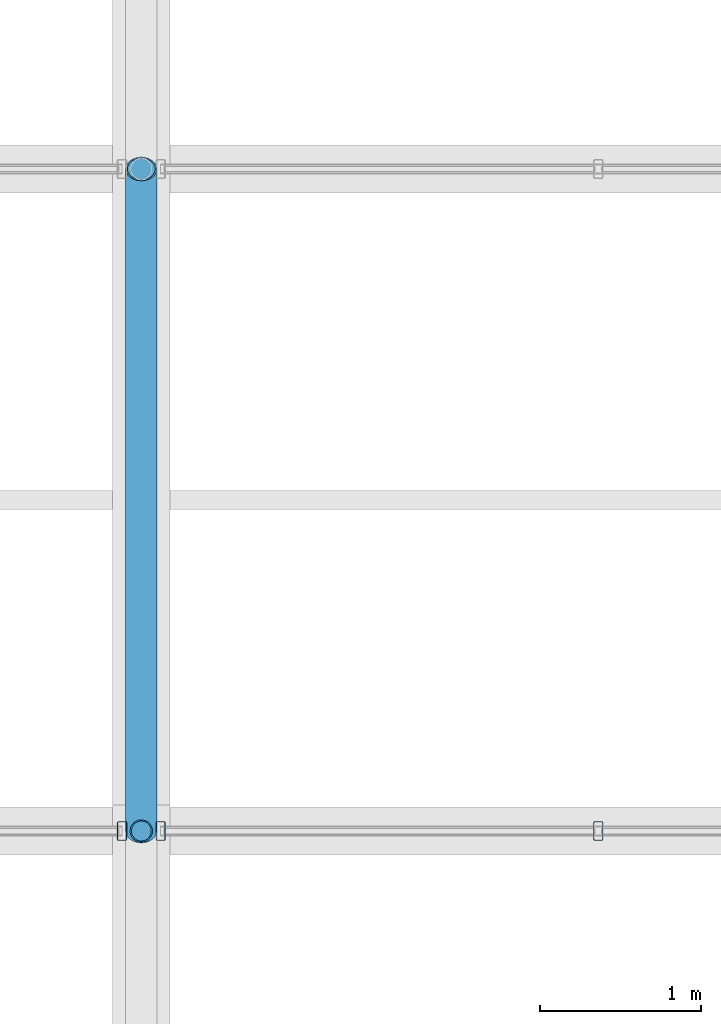
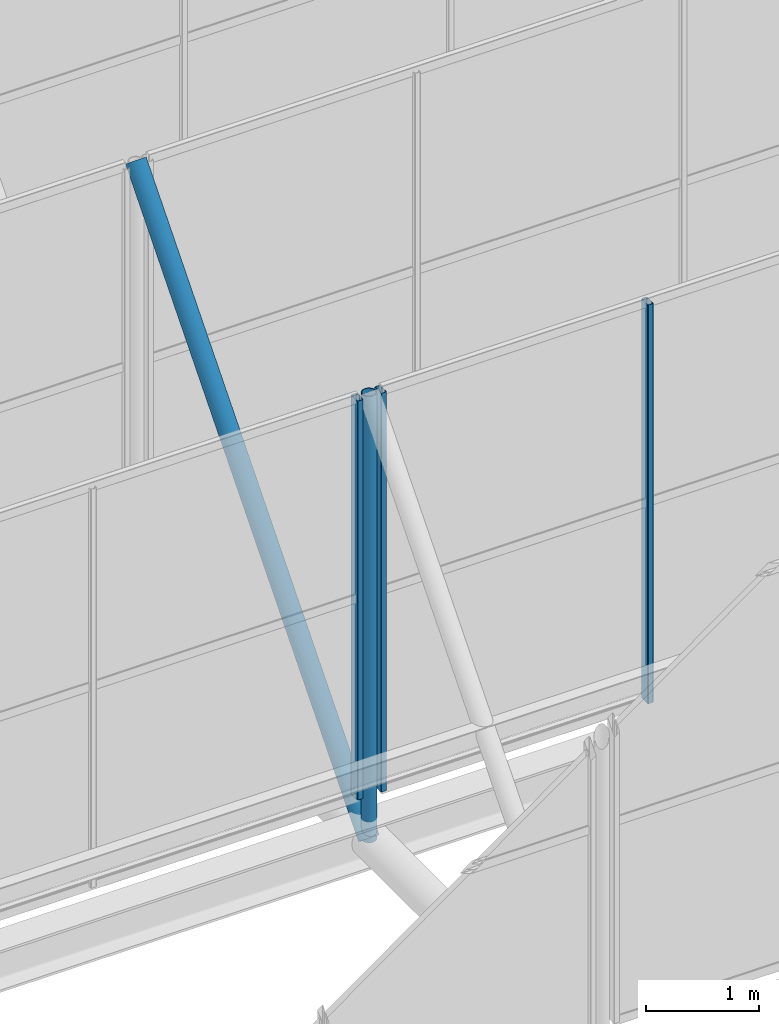
# One storey, part 11 of 77: 5 members, 2 elements without a shape of their own.
"""IFC4 building model written with IfcOpenShell, lengths in metres."""

from ifc_helpers import new_model, si_unit, derived_unit, direction, frame, origin, origin_2d, place, context, subcontext, project, spatial, hollow_rectangle, hollow_circle, extrude, material, material_profile, profile_set, type_object, element, aggregate, save


model = new_model("IFC4")

# Units and contexts
model_context = context("Model", 3, precision=1e-05, world=origin(), true_north=direction((0.0, 1.0)))
body_context = subcontext(model_context, "Body", "Model", "MODEL_VIEW")
ifc_project = project(units=[si_unit("LENGTHUNIT", "METRE"), si_unit("AREAUNIT", "SQUARE_METRE"), si_unit("VOLUMEUNIT", "CUBIC_METRE"), si_unit("PLANEANGLEUNIT", "RADIAN"), si_unit("MASSUNIT", "GRAM", prefix="KILO"), derived_unit("THERMALTRANSMITTANCEUNIT", [(si_unit("MASSUNIT", "GRAM", prefix="KILO"), 1), (si_unit("TIMEUNIT", "SECOND"), -3), (si_unit("THERMODYNAMICTEMPERATUREUNIT", "KELVIN"), -1)])], contexts=[model_context])

# Site, building, storey
site_placement = place(None, origin())
site = spatial("IfcSite", under=ifc_project, at=site_placement, CompositionType="ELEMENT")
building_placement = place(site_placement, origin())
building = spatial("IfcBuilding", under=site, at=building_placement, Name="Kharveza Railside Sports Centre", CompositionType="ELEMENT")
storey_placement = place(building_placement, frame((0.0, 0.0, 17.10009765625)))
storey = spatial("IfcBuildingStorey", under=building, at=storey_placement, Name="L04", CompositionType="ELEMENT", Elevation=17.10009765625)

# Curtain wall, member
ifc_material_1 = material(Name="Low-E solar-control laminated glass", Category="glass")
curtain_wall_type = type_object("IfcCurtainWallType", Name="CW-NL01", PredefinedType="NOTDEFINED", material=ifc_material_1)
curtain_wall_1_placement = place(storey_placement, origin())
curtain_wall_1 = element("IfcCurtainWall", 1, at=curtain_wall_1_placement, inside=storey, type_object=curtain_wall_type, Name="CW-V1NL-2-2", PredefinedType="NOTDEFINED")
ifc_material_2 = material(Name="Anodised aluminium 6063-T6", Category="aluminium")
ifc_material_profile_1 = material_profile(ifc_material_2, hollow_rectangle(XDim=0.06005859375, YDim=0.1201171875, WallThickness=0.0048828125, InnerFilletRadius=0.0048828125, OuterFilletRadius=0.010009765625, at=origin_2d()), Name="RHS 60x120x5.0")
ifc_profile_set_1 = profile_set([ifc_material_profile_1], Name="Anodised aluminium 6063-T6")
member_type_1 = type_object("IfcMemberType", Name="CW-ML05", PredefinedType="MULLION", material=ifc_profile_set_1)
member_1_placement = place(storey_placement, frame((50.280029296875, 44.228515625, -0.550048828125), z_axis=(0.0, 0.0, 1.0), x_axis=(1.0, 0.0, 0.0)))
member_1 = element("IfcMember", 2, at=member_1_placement, type_object=member_type_1, Name="CW-V1NL-2-2-ML4", PredefinedType="MULLION", context=body_context, shape_type="SweptSolid", body=[
    extrude(hollow_rectangle(XDim=0.06005859375, YDim=0.1201171875, WallThickness=0.0048828125, InnerFilletRadius=0.0048828125, OuterFilletRadius=0.010009765625, at=origin_2d()), origin(), (0.0, 0.0, 1.0), 4.300048828125),
])
aggregate(curtain_wall_1, [member_1])

# Curtain wall, members
curtain_wall_2_placement = place(storey_placement, origin())
curtain_wall_2 = element("IfcCurtainWall", 3, at=curtain_wall_2_placement, inside=storey, type_object=curtain_wall_type, Name="CW-V1NL-2-3", PredefinedType="NOTDEFINED")
member_2_placement = place(storey_placement, frame((50.52001953125, 44.228515625, -0.550048828125), z_axis=(0.0, 0.0, 1.0), x_axis=(1.0, 0.0, 0.0)))
member_2 = element("IfcMember", 4, at=member_2_placement, type_object=member_type_1, Name="CW-V1NL-2-3-ML1", PredefinedType="MULLION", context=body_context, shape_type="SweptSolid", body=[
    extrude(hollow_rectangle(XDim=0.06005859375, YDim=0.1201171875, WallThickness=0.0048828125, InnerFilletRadius=0.0048828125, OuterFilletRadius=0.010009765625, at=origin_2d()), origin(), (0.0, 0.0, 1.0), 4.300048828125),
])
member_3_placement = place(storey_placement, frame((53.239990234375, 44.228515625, -0.550048828125), z_axis=(0.0, 0.0, 1.0), x_axis=(1.0, 0.0, 0.0)))
member_3 = element("IfcMember", 5, at=member_3_placement, type_object=member_type_1, Name="CW-V1NL-2-3-ML2", PredefinedType="MULLION", context=body_context, shape_type="SweptSolid", body=[
    extrude(hollow_rectangle(XDim=0.06005859375, YDim=0.1201171875, WallThickness=0.0048828125, InnerFilletRadius=0.0048828125, OuterFilletRadius=0.010009765625, at=origin_2d()), origin(), (0.0, 0.0, 1.0), 4.300048828125),
])
aggregate(curtain_wall_2, [member_2, member_3])

# Members
ifc_material_3 = material(Name="Steel S355J2", Category="steel")
ifc_material_profile_2 = material_profile(ifc_material_3, hollow_circle(Radius=0.096923828125, WallThickness=0.010009765625, at=origin_2d()), Name="CHS 193.7x10.0")
ifc_profile_set_2 = profile_set([ifc_material_profile_2], Name="Steel S355J2")
member_type_2 = type_object("IfcMemberType", Name="MB-ST02", PredefinedType="STRUT", material=ifc_profile_set_2)
member_4_placement = place(storey_placement, frame((50.39990234375, 44.228515625, -1.050048828125), z_axis=(0.0, 0.65002553535, 0.759912365601), x_axis=(-1.0, 0.0, 0.0)))
element("IfcMember", 6, at=member_4_placement, inside=storey, type_object=member_type_2, Name="MB-V1SAW-RFT-3-3", PredefinedType="STRUT", context=body_context, shape_type="SweptSolid", body=[
    extrude(hollow_circle(Radius=0.096923828125, WallThickness=0.010009765625, at=origin_2d()), origin(), (0.0, 0.0, 1.0), 6.329833984375),
])
ifc_material_profile_3 = material_profile(ifc_material_3, hollow_circle(Radius=0.06982421875, WallThickness=0.008056640625, at=origin_2d()), Name="CHS 139.7x8.0")
ifc_profile_set_3 = profile_set([ifc_material_profile_3], Name="Steel S355J2")
member_type_3 = type_object("IfcMemberType", Name="MB-ST04", PredefinedType="STRUT", material=ifc_profile_set_3)
member_5_placement = place(storey_placement, frame((50.39990234375, 44.228515625, -1.050048828125), z_axis=(0.0, 0.0, 1.0), x_axis=(1.0, 0.0, 0.0)))
element("IfcMember", 7, at=member_5_placement, inside=storey, type_object=member_type_3, Name="MB-V1SAW-PST-2-3", PredefinedType="STRUT", context=body_context, shape_type="SweptSolid", body=[
    extrude(hollow_circle(Radius=0.06982421875, WallThickness=0.008056640625, at=origin_2d()), origin(), (0.0, 0.0, 1.0), 4.81005859375),
])

save(model, "model.ifc")
